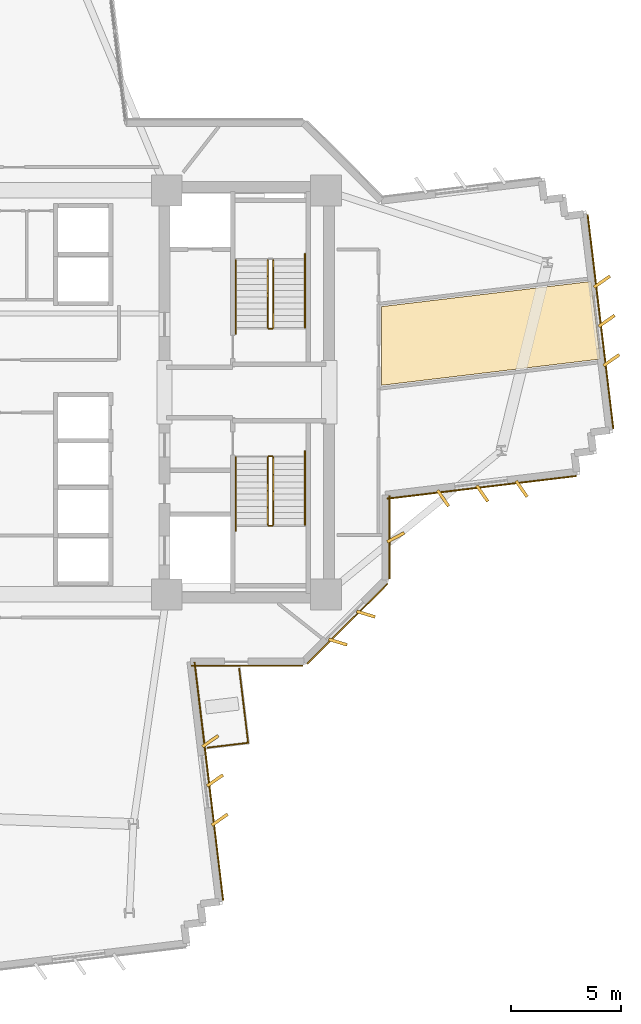
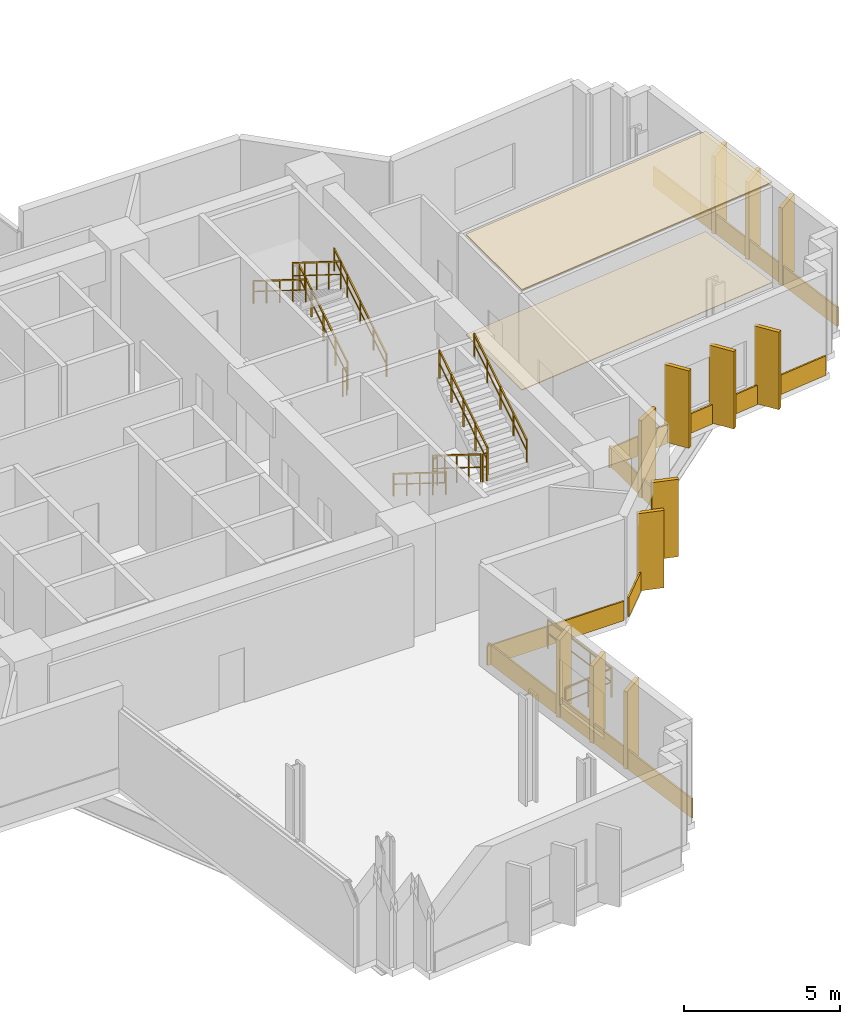
# One storey, part 13 of 15: 20 coverings, 13 railings.
"""IFC4 building model written with IfcOpenShell, lengths in metres."""

from ifc_helpers import new_model, si_unit, direction, frame, origin, origin_2d, place, context, subcontext, project, spatial, polyline, rectangle, outline, extrude, source, transform, mapped, material, layer, layer_set, type_object, element, save


model = new_model("IFC4")

# Units and contexts
model_context = context("Model", 3, precision=1e-05, world=origin(), true_north=direction((0.0, 1.0)))
body_context = subcontext(model_context, "Body", "Model", "MODEL_VIEW")
ifc_project = project(units=[si_unit("LENGTHUNIT", "METRE"), si_unit("AREAUNIT", "SQUARE_METRE"), si_unit("VOLUMEUNIT", "CUBIC_METRE"), si_unit("PLANEANGLEUNIT", "RADIAN"), si_unit("MASSUNIT", "GRAM", prefix="KILO")], contexts=[model_context])

# Site, building, storey
site_placement = place(None, origin())
site = spatial("IfcSite", under=ifc_project, at=site_placement, CompositionType="ELEMENT")
building_placement = place(site_placement, origin())
building = spatial("IfcBuilding", under=site, at=building_placement, Name="Zahravan Cultural Tower", CompositionType="ELEMENT")
storey_placement = place(building_placement, frame((0.0, 0.0, 108.89990234375)))
storey = spatial("IfcBuildingStorey", under=building, at=storey_placement, Name="L24", CompositionType="ELEMENT", Elevation=108.89990234375)

# Coverings
ifc_material_1 = material(Name="Acoustic mineral fibreboard")
ifc_layer_1 = layer(ifc_material_1, 0.0400390625)
ifc_layer_set_1 = layer_set([ifc_layer_1], Name="Acoustic mineral fibreboard")
covering_type_1 = type_object("IfcCoveringType", Name="COV-CEIL-AC20", PredefinedType="CEILING", material=ifc_layer_set_1)
covering_1_placement = place(storey_placement, frame((0.0, 0.0, 3.91015625)))
element("IfcCovering", 1, at=covering_1_placement, inside=storey, type_object=covering_type_1, Name="L24 Acoustic Suspended Ceiling", PredefinedType="CEILING", context=body_context, shape_type="SweptSolid", body=[
    extrude(outline(polyline([(62.85009765625, 28.5185546875), (62.42626953125, 32.05322265625), (52.889892578125, 30.909423828125), (52.889892578125, 27.323974609375), (62.85009765625, 28.5185546875)])), origin(), (0.0, 0.0, 1.0), 0.0400390625),
])
ifc_material_2 = material(Name="Terrazzo flooring")
ifc_layer_2 = layer(ifc_material_2, 0.02490234375)
ifc_layer_set_2 = layer_set([ifc_layer_2], Name="Terrazzo flooring")
covering_type_2 = type_object("IfcCoveringType", Name="COV-FLR-TZ25", PredefinedType="FLOORING", material=ifc_layer_set_2)
covering_2_placement = place(storey_placement, origin())
element("IfcCovering", 2, at=covering_2_placement, inside=storey, type_object=covering_type_2, Name="L24 Polished Terrazzo Flooring", PredefinedType="FLOORING", context=body_context, shape_type="SweptSolid", body=[
    extrude(outline(polyline([(62.85009765625, 28.5185546875), (62.42626953125, 32.05322265625), (52.889892578125, 30.909423828125), (52.889892578125, 27.323974609375), (62.85009765625, 28.5185546875)])), origin(), (0.0, 0.0, 1.0), 0.025146484375),
])

# Railings
ifc_material_3 = material(Name="Steel ASTM A572 Grade 50", Category="steel")
railing_type_1 = type_object("IfcRailingType", Name="RL-BAL-1150", PredefinedType="BALUSTRADE", material=ifc_material_3)
railing_1_placement = place(storey_placement, frame((46.807373046875, 11.043701171875, 0.0)))
element("IfcRailing", 3, at=railing_1_placement, inside=storey, type_object=railing_type_1, Name="L24 Edge Balustrade GRD-TR-L24-SE-01", PredefinedType="BALUSTRADE", context=body_context, shape_type="SweptSolid", body=[
    extrude(rectangle(XDim=0.05, YDim=0.05, at=origin_2d()), frame((0.0, 0.0, 1.125), z_axis=(-0.9928749651, -0.119160831138, 0.0), x_axis=(0.119160831138, -0.9928749651, 0.0)), (0.0, 0.0, 1.0), 1.85009765625),
    extrude(rectangle(XDim=0.032, YDim=0.032, at=origin_2d()), frame((0.0, 0.0, 0.597900390625), z_axis=(-0.9928749651, -0.119160831138, 0.0), x_axis=(0.119160831138, -0.9928749651, 0.0)), (0.0, 0.0, 1.0), 1.85009765625),
    extrude(rectangle(XDim=0.04, YDim=0.04, at=origin_2d()), origin(), (0.0, 0.0, 1.0), 1.14990234375),
    extrude(rectangle(XDim=0.04, YDim=0.04, at=origin_2d()), frame((-0.91845703125, -0.1103515625, 0.0)), (0.0, 0.0, 1.0), 1.14990234375),
    extrude(rectangle(XDim=0.04, YDim=0.04, at=origin_2d()), frame((-1.8369140625, -0.220458984375, 0.0)), (0.0, 0.0, 1.0), 1.14990234375),
])
railing_2_placement = place(storey_placement, frame((46.40234375, 14.419921875, 0.0)))
element("IfcRailing", 4, at=railing_2_placement, inside=storey, type_object=railing_type_1, Name="L24 Edge Balustrade GRD-TR-L24-SE-02", PredefinedType="BALUSTRADE", context=body_context, shape_type="SweptSolid", body=[
    extrude(rectangle(XDim=0.05, YDim=0.05, at=origin_2d()), frame((0.0, 0.0, 1.125), z_axis=(0.119111247198, -0.992880914708, 0.0), x_axis=(0.992880914708, 0.119111247198, 0.0)), (0.0, 0.0, 1.0), 3.400390625),
    extrude(rectangle(XDim=0.032, YDim=0.032, at=origin_2d()), frame((0.0, 0.0, 0.597900390625), z_axis=(0.119111247198, -0.992880914708, 0.0), x_axis=(0.992880914708, 0.119111247198, 0.0)), (0.0, 0.0, 1.0), 3.400390625),
    extrude(rectangle(XDim=0.04, YDim=0.04, at=origin_2d()), origin(), (0.0, 0.0, 1.0), 1.14990234375),
    extrude(rectangle(XDim=0.04, YDim=0.04, at=origin_2d()), frame((0.135009765625, -1.12548828125, 0.0)), (0.0, 0.0, 1.0), 1.14990234375),
    extrude(rectangle(XDim=0.04, YDim=0.04, at=origin_2d()), frame((0.27001953125, -2.250732421875, 0.0)), (0.0, 0.0, 1.0), 1.14990234375),
    extrude(rectangle(XDim=0.04, YDim=0.04, at=origin_2d()), frame((0.405029296875, -3.376220703125, 0.0)), (0.0, 0.0, 1.0), 1.14990234375),
])
railing_type_2 = type_object("IfcRailingType", Name="RL-STAIR-GRD1150", PredefinedType="BALUSTRADE", material=ifc_material_3)
railing_3_placement = place(storey_placement, frame((47.949951171875, 29.949951171875, 0.175048828125)))
element("IfcRailing", 5, at=railing_3_placement, inside=storey, type_object=railing_type_2, Name="L24 ST-E1 stair guard 1", PredefinedType="BALUSTRADE", context=body_context, shape_type="SweptSolid", body=[
    extrude(rectangle(XDim=0.05, YDim=0.05, at=origin_2d()), frame((0.0, 0.0, 1.0751953125), z_axis=(0.0, 0.847998304005, 0.529998940003), x_axis=(-1.0, 0.0, 0.0)), (0.0, 0.0, 1.0), 3.632080078125),
    extrude(rectangle(XDim=0.032, YDim=0.032, at=origin_2d()), frame((0.0, 0.0, 0.572021484375), z_axis=(0.0, 0.847998304005, 0.529998940003), x_axis=(-1.0, 0.0, 0.0)), (0.0, 0.0, 1.0), 3.632080078125),
    extrude(rectangle(XDim=0.04, YDim=0.04, at=origin_2d()), origin(), (0.0, 0.0, 1.0), 1.10009765625),
    extrude(rectangle(XDim=0.04, YDim=0.04, at=origin_2d()), frame((0.0, 0.77001953125, 0.481201171875)), (0.0, 0.0, 1.0), 1.10009765625),
    extrude(rectangle(XDim=0.04, YDim=0.04, at=origin_2d()), frame((0.0, 1.5400390625, 0.96240234375)), (0.0, 0.0, 1.0), 1.10009765625),
    extrude(rectangle(XDim=0.04, YDim=0.04, at=origin_2d()), frame((0.0, 2.31005859375, 1.44384765625)), (0.0, 0.0, 1.0), 1.10009765625),
    extrude(rectangle(XDim=0.04, YDim=0.04, at=origin_2d()), frame((0.0, 3.080078125, 1.925048828125)), (0.0, 0.0, 1.0), 1.10009765625),
])
railing_4_placement = place(storey_placement, frame((47.699951171875, 33.030029296875, 2.275146484375)))
element("IfcRailing", 6, at=railing_4_placement, inside=storey, type_object=railing_type_2, Name="L24 ST-E1 stair guard 3", PredefinedType="BALUSTRADE", context=body_context, shape_type="SweptSolid", body=[
    extrude(rectangle(XDim=0.05, YDim=0.05, at=origin_2d()), frame((0.0, 0.0, 1.0751953125), z_axis=(0.0, -0.847998304005, 0.529998940003), x_axis=(1.0, 0.0, 0.0)), (0.0, 0.0, 1.0), 3.632080078125),
    extrude(rectangle(XDim=0.032, YDim=0.032, at=origin_2d()), frame((0.0, 0.0, 0.572021484375), z_axis=(0.0, -0.847998304005, 0.529998940003), x_axis=(1.0, 0.0, 0.0)), (0.0, 0.0, 1.0), 3.632080078125),
    extrude(rectangle(XDim=0.04, YDim=0.04, at=origin_2d()), origin(), (0.0, 0.0, 1.0), 1.10009765625),
    extrude(rectangle(XDim=0.04, YDim=0.04, at=origin_2d()), frame((0.0, -0.77001953125, 0.481201171875)), (0.0, 0.0, 1.0), 1.10009765625),
    extrude(rectangle(XDim=0.04, YDim=0.04, at=origin_2d()), frame((0.0, -1.5400390625, 0.96240234375)), (0.0, 0.0, 1.0), 1.10009765625),
    extrude(rectangle(XDim=0.04, YDim=0.04, at=origin_2d()), frame((0.0, -2.31005859375, 1.44384765625)), (0.0, 0.0, 1.0), 1.10009765625),
    extrude(rectangle(XDim=0.04, YDim=0.04, at=origin_2d()), frame((0.0, -3.080078125, 1.925048828125)), (0.0, 0.0, 1.0), 1.10009765625),
])
railing_5_placement = place(storey_placement, frame((47.89990234375, 29.89990234375, 0.0)))
element("IfcRailing", 7, at=railing_5_placement, inside=storey, type_object=railing_type_2, Name="L24 ST-E1 stair guard 4", PredefinedType="BALUSTRADE", context=body_context, shape_type="SweptSolid", body=[
    extrude(rectangle(XDim=0.05, YDim=0.05, at=origin_2d()), frame((0.0, 0.0, 1.0751953125), z_axis=(-1.0, 0.0, 0.0), x_axis=(0.0, -1.0, 0.0)), (0.0, 0.0, 1.0), 0.14990234375),
    extrude(rectangle(XDim=0.032, YDim=0.032, at=origin_2d()), frame((0.0, 0.0, 0.572021484375), z_axis=(-1.0, 0.0, 0.0), x_axis=(0.0, -1.0, 0.0)), (0.0, 0.0, 1.0), 0.14990234375),
    extrude(rectangle(XDim=0.04, YDim=0.04, at=origin_2d()), origin(), (0.0, 0.0, 1.0), 1.10009765625),
    extrude(rectangle(XDim=0.04, YDim=0.04, at=origin_2d()), frame((-0.14990234375, 0.0, 0.0)), (0.0, 0.0, 1.0), 1.10009765625),
])
railing_6_placement = place(storey_placement, frame((47.699951171875, 24.050048828125, 0.175048828125)))
element("IfcRailing", 8, at=railing_6_placement, inside=storey, type_object=railing_type_2, Name="L24 ST-E2 stair guard 1", PredefinedType="BALUSTRADE", context=body_context, shape_type="SweptSolid", body=[
    extrude(rectangle(XDim=0.05, YDim=0.05, at=origin_2d()), frame((0.0, 0.0, 1.0751953125), z_axis=(0.0, -0.847998304005, 0.529998940003), x_axis=(1.0, 0.0, 0.0)), (0.0, 0.0, 1.0), 3.632080078125),
    extrude(rectangle(XDim=0.032, YDim=0.032, at=origin_2d()), frame((0.0, 0.0, 0.572021484375), z_axis=(0.0, -0.847998304005, 0.529998940003), x_axis=(1.0, 0.0, 0.0)), (0.0, 0.0, 1.0), 3.632080078125),
    extrude(rectangle(XDim=0.04, YDim=0.04, at=origin_2d()), origin(), (0.0, 0.0, 1.0), 1.10009765625),
    extrude(rectangle(XDim=0.04, YDim=0.04, at=origin_2d()), frame((0.0, -0.77001953125, 0.481201171875)), (0.0, 0.0, 1.0), 1.10009765625),
    extrude(rectangle(XDim=0.04, YDim=0.04, at=origin_2d()), frame((0.0, -1.5400390625, 0.96240234375)), (0.0, 0.0, 1.0), 1.10009765625),
    extrude(rectangle(XDim=0.04, YDim=0.04, at=origin_2d()), frame((0.0, -2.31005859375, 1.44384765625)), (0.0, 0.0, 1.0), 1.10009765625),
    extrude(rectangle(XDim=0.04, YDim=0.04, at=origin_2d()), frame((0.0, -3.080078125, 1.925048828125)), (0.0, 0.0, 1.0), 1.10009765625),
])
railing_7_placement = place(storey_placement, frame((47.75, 20.919921875, 2.10009765625)))
element("IfcRailing", 9, at=railing_7_placement, inside=storey, type_object=railing_type_2, Name="L24 ST-E2 stair guard 2", PredefinedType="BALUSTRADE", context=body_context, shape_type="SweptSolid", body=[
    extrude(rectangle(XDim=0.05, YDim=0.05, at=origin_2d()), frame((0.0, 0.0, 1.0751953125), z_axis=(1.0, 0.0, 0.0), x_axis=(0.0, 1.0, 0.0)), (0.0, 0.0, 1.0), 0.14990234375),
    extrude(rectangle(XDim=0.032, YDim=0.032, at=origin_2d()), frame((0.0, 0.0, 0.572021484375), z_axis=(1.0, 0.0, 0.0), x_axis=(0.0, 1.0, 0.0)), (0.0, 0.0, 1.0), 0.14990234375),
    extrude(rectangle(XDim=0.04, YDim=0.04, at=origin_2d()), origin(), (0.0, 0.0, 1.0), 1.10009765625),
    extrude(rectangle(XDim=0.04, YDim=0.04, at=origin_2d()), frame((0.14990234375, 0.0, 0.0)), (0.0, 0.0, 1.0), 1.10009765625),
])
railing_8_placement = place(storey_placement, frame((47.949951171875, 20.969970703125, 2.275146484375)))
element("IfcRailing", 10, at=railing_8_placement, inside=storey, type_object=railing_type_2, Name="L24 ST-E2 stair guard 3", PredefinedType="BALUSTRADE", context=body_context, shape_type="SweptSolid", body=[
    extrude(rectangle(XDim=0.05, YDim=0.05, at=origin_2d()), frame((0.0, 0.0, 1.0751953125), z_axis=(0.0, 0.847998304005, 0.529998940003), x_axis=(-1.0, 0.0, 0.0)), (0.0, 0.0, 1.0), 3.632080078125),
    extrude(rectangle(XDim=0.032, YDim=0.032, at=origin_2d()), frame((0.0, 0.0, 0.572021484375), z_axis=(0.0, 0.847998304005, 0.529998940003), x_axis=(-1.0, 0.0, 0.0)), (0.0, 0.0, 1.0), 3.632080078125),
    extrude(rectangle(XDim=0.04, YDim=0.04, at=origin_2d()), origin(), (0.0, 0.0, 1.0), 1.10009765625),
    extrude(rectangle(XDim=0.04, YDim=0.04, at=origin_2d()), frame((0.0, 0.77001953125, 0.481201171875)), (0.0, 0.0, 1.0), 1.10009765625),
    extrude(rectangle(XDim=0.04, YDim=0.04, at=origin_2d()), frame((0.0, 1.5400390625, 0.96240234375)), (0.0, 0.0, 1.0), 1.10009765625),
    extrude(rectangle(XDim=0.04, YDim=0.04, at=origin_2d()), frame((0.0, 2.31005859375, 1.44384765625)), (0.0, 0.0, 1.0), 1.10009765625),
    extrude(rectangle(XDim=0.04, YDim=0.04, at=origin_2d()), frame((0.0, 3.080078125, 1.925048828125)), (0.0, 0.0, 1.0), 1.10009765625),
])
railing_9_placement = place(storey_placement, frame((47.75, 24.10009765625, 0.0)))
element("IfcRailing", 11, at=railing_9_placement, inside=storey, type_object=railing_type_2, Name="L24 ST-E2 stair guard 4", PredefinedType="BALUSTRADE", context=body_context, shape_type="SweptSolid", body=[
    extrude(rectangle(XDim=0.05, YDim=0.05, at=origin_2d()), frame((0.0, 0.0, 1.0751953125), z_axis=(1.0, 0.0, 0.0), x_axis=(0.0, 1.0, 0.0)), (0.0, 0.0, 1.0), 0.14990234375),
    extrude(rectangle(XDim=0.032, YDim=0.032, at=origin_2d()), frame((0.0, 0.0, 0.572021484375), z_axis=(1.0, 0.0, 0.0), x_axis=(0.0, 1.0, 0.0)), (0.0, 0.0, 1.0), 0.14990234375),
    extrude(rectangle(XDim=0.04, YDim=0.04, at=origin_2d()), origin(), (0.0, 0.0, 1.0), 1.10009765625),
    extrude(rectangle(XDim=0.04, YDim=0.04, at=origin_2d()), frame((0.14990234375, 0.0, 0.0)), (0.0, 0.0, 1.0), 1.10009765625),
])
railing_type_3 = type_object("IfcRailingType", Name="RL-STAIR-HR900", PredefinedType="HANDRAIL", material=ifc_material_3)
railing_10_placement = place(storey_placement, frame((49.39990234375, 29.949951171875, 0.175048828125)))
element("IfcRailing", 12, at=railing_10_placement, inside=storey, type_object=railing_type_3, Name="L24 ST-E1 stair handrail 1", PredefinedType="HANDRAIL", context=body_context, shape_type="SweptSolid", body=[
    extrude(rectangle(XDim=0.05, YDim=0.05, at=origin_2d()), frame((0.0, 0.0, 0.875), z_axis=(0.0, 0.847994842521, 0.530004478338), x_axis=(-1.0, 0.0, 0.0)), (0.0, 0.0, 1.0), 3.96240234375),
    extrude(rectangle(XDim=0.032, YDim=0.032, at=origin_2d()), frame((0.0, 0.0, 0.468017578125), z_axis=(0.0, 0.847994842521, 0.530004478338), x_axis=(-1.0, 0.0, 0.0)), (0.0, 0.0, 1.0), 3.96240234375),
    extrude(rectangle(XDim=0.04, YDim=0.04, at=origin_2d()), origin(), (0.0, 0.0, 1.0), 0.89990234375),
    extrude(rectangle(XDim=0.04, YDim=0.04, at=origin_2d()), frame((0.0, 0.840087890625, 0.52490234375)), (0.0, 0.0, 1.0), 0.89990234375),
    extrude(rectangle(XDim=0.04, YDim=0.04, at=origin_2d()), frame((0.0, 1.68017578125, 1.050048828125)), (0.0, 0.0, 1.0), 0.89990234375),
    extrude(rectangle(XDim=0.04, YDim=0.04, at=origin_2d()), frame((0.0, 2.52001953125, 1.5751953125)), (0.0, 0.0, 1.0), 0.89990234375),
    extrude(rectangle(XDim=0.04, YDim=0.04, at=origin_2d()), frame((0.0, 3.360107421875, 2.10009765625)), (0.0, 0.0, 1.0), 0.89990234375),
])
railing_11_placement = place(storey_placement, frame((46.25, 33.030029296875, 2.275146484375)))
element("IfcRailing", 13, at=railing_11_placement, inside=storey, type_object=railing_type_3, Name="L24 ST-E1 stair handrail 2", PredefinedType="HANDRAIL", context=body_context, shape_type="SweptSolid", body=[
    extrude(rectangle(XDim=0.05, YDim=0.05, at=origin_2d()), frame((0.0, 0.0, 0.875), z_axis=(0.0, -0.848022534174, 0.529960169762), x_axis=(1.0, 0.0, 0.0)), (0.0, 0.0, 1.0), 3.96240234375),
    extrude(rectangle(XDim=0.032, YDim=0.032, at=origin_2d()), frame((0.0, 0.0, 0.468017578125), z_axis=(0.0, -0.848022534174, 0.529960169762), x_axis=(1.0, 0.0, 0.0)), (0.0, 0.0, 1.0), 3.96240234375),
    extrude(rectangle(XDim=0.04, YDim=0.04, at=origin_2d()), origin(), (0.0, 0.0, 1.0), 0.89990234375),
    extrude(rectangle(XDim=0.04, YDim=0.04, at=origin_2d()), frame((0.0, -0.840087890625, 0.52490234375)), (0.0, 0.0, 1.0), 0.89990234375),
    extrude(rectangle(XDim=0.04, YDim=0.04, at=origin_2d()), frame((0.0, -1.68017578125, 1.0498046875)), (0.0, 0.0, 1.0), 0.89990234375),
    extrude(rectangle(XDim=0.04, YDim=0.04, at=origin_2d()), frame((0.0, -2.52001953125, 1.574951171875)), (0.0, 0.0, 1.0), 0.89990234375),
    extrude(rectangle(XDim=0.04, YDim=0.04, at=origin_2d()), frame((0.0, -3.360107421875, 2.099853515625)), (0.0, 0.0, 1.0), 0.89990234375),
])
railing_12_placement = place(storey_placement, frame((46.25, 24.050048828125, 0.175048828125)))
element("IfcRailing", 14, at=railing_12_placement, inside=storey, type_object=railing_type_3, Name="L24 ST-E2 stair handrail 1", PredefinedType="HANDRAIL", context=body_context, shape_type="SweptSolid", body=[
    extrude(rectangle(XDim=0.05, YDim=0.05, at=origin_2d()), frame((0.0, 0.0, 0.875), z_axis=(0.0, -0.847994842521, 0.530004478338), x_axis=(1.0, 0.0, 0.0)), (0.0, 0.0, 1.0), 3.96240234375),
    extrude(rectangle(XDim=0.032, YDim=0.032, at=origin_2d()), frame((0.0, 0.0, 0.468017578125), z_axis=(0.0, -0.847994842521, 0.530004478338), x_axis=(1.0, 0.0, 0.0)), (0.0, 0.0, 1.0), 3.96240234375),
    extrude(rectangle(XDim=0.04, YDim=0.04, at=origin_2d()), origin(), (0.0, 0.0, 1.0), 0.89990234375),
    extrude(rectangle(XDim=0.04, YDim=0.04, at=origin_2d()), frame((0.0, -0.840087890625, 0.52490234375)), (0.0, 0.0, 1.0), 0.89990234375),
    extrude(rectangle(XDim=0.04, YDim=0.04, at=origin_2d()), frame((0.0, -1.68017578125, 1.050048828125)), (0.0, 0.0, 1.0), 0.89990234375),
    extrude(rectangle(XDim=0.04, YDim=0.04, at=origin_2d()), frame((0.0, -2.52001953125, 1.5751953125)), (0.0, 0.0, 1.0), 0.89990234375),
    extrude(rectangle(XDim=0.04, YDim=0.04, at=origin_2d()), frame((0.0, -3.360107421875, 2.10009765625)), (0.0, 0.0, 1.0), 0.89990234375),
])
railing_13_placement = place(storey_placement, frame((49.39990234375, 20.969970703125, 2.275146484375)))
element("IfcRailing", 15, at=railing_13_placement, inside=storey, type_object=railing_type_3, Name="L24 ST-E2 stair handrail 2", PredefinedType="HANDRAIL", context=body_context, shape_type="SweptSolid", body=[
    extrude(rectangle(XDim=0.05, YDim=0.05, at=origin_2d()), frame((0.0, 0.0, 0.875), z_axis=(0.0, 0.848022534174, 0.529960169762), x_axis=(-1.0, 0.0, 0.0)), (0.0, 0.0, 1.0), 3.96240234375),
    extrude(rectangle(XDim=0.032, YDim=0.032, at=origin_2d()), frame((0.0, 0.0, 0.468017578125), z_axis=(0.0, 0.848022534174, 0.529960169762), x_axis=(-1.0, 0.0, 0.0)), (0.0, 0.0, 1.0), 3.96240234375),
    extrude(rectangle(XDim=0.04, YDim=0.04, at=origin_2d()), origin(), (0.0, 0.0, 1.0), 0.89990234375),
    extrude(rectangle(XDim=0.04, YDim=0.04, at=origin_2d()), frame((0.0, 0.840087890625, 0.52490234375)), (0.0, 0.0, 1.0), 0.89990234375),
    extrude(rectangle(XDim=0.04, YDim=0.04, at=origin_2d()), frame((0.0, 1.68017578125, 1.0498046875)), (0.0, 0.0, 1.0), 0.89990234375),
    extrude(rectangle(XDim=0.04, YDim=0.04, at=origin_2d()), frame((0.0, 2.52001953125, 1.574951171875)), (0.0, 0.0, 1.0), 0.89990234375),
    extrude(rectangle(XDim=0.04, YDim=0.04, at=origin_2d()), frame((0.0, 3.360107421875, 2.099853515625)), (0.0, 0.0, 1.0), 0.89990234375),
])

# Coverings
ifc_material_4 = material(Name="Terracotta ceramic cladding", Category="masonry")
ifc_layer_3 = layer(ifc_material_4, 0.06005859375)
ifc_layer_set_3 = layer_set([ifc_layer_3], Name="Terracotta ceramic cladding")
covering_type_3 = type_object("IfcCoveringType", Name="COV-CLAD-TC60", PredefinedType="CLADDING", material=ifc_layer_set_3)
shared_shape_1 = source(origin(), body_context, "Body", "SweptSolid", [
    extrude(rectangle(XDim=9.820068359375, YDim=0.06005859375, at=origin_2d()), origin(), (0.0, 0.0, 1.0), 0.760009765625),
])
covering_3_placement = place(storey_placement, frame((62.8525390625, 30.220947265625, 0.02001953125), z_axis=(0.0, 0.0, 1.0), x_axis=(0.119097160095, -0.99288260457, 0.0)))
element("IfcCovering", 16, at=covering_3_placement, inside=storey, type_object=covering_type_3, Name="L24 Terracotta Spandrel Cladding 06", PredefinedType="CLADDING", context=body_context, shape_type="MappedRepresentation", body=[
    mapped(shared_shape_1, transform((0.0, 0.0, 0.0), x_axis=(1.0, 0.0, 0.0), y_axis=(0.0, 1.0, 0.0), z_axis=(0.0, 0.0, 1.0), scale=1.0)),
])
shared_shape_2 = source(origin(), body_context, "Body", "SweptSolid", [
    extrude(rectangle(XDim=5.157958984375, YDim=0.06005859375, at=origin_2d()), origin(), (0.0, 0.0, 1.0), 0.760009765625),
])
covering_4_placement = place(storey_placement, frame((51.331787109375, 16.46826171875, 0.02001953125), z_axis=(0.0, 0.0, 1.0), x_axis=(-0.707106781187, -0.707106781187, 0.0)))
element("IfcCovering", 17, at=covering_4_placement, inside=storey, type_object=covering_type_3, Name="L24 Terracotta Spandrel Cladding 13", PredefinedType="CLADDING", context=body_context, shape_type="MappedRepresentation", body=[
    mapped(shared_shape_2, transform((0.0, 0.0, 0.0), x_axis=(1.0, 0.0, 0.0), y_axis=(0.0, 1.0, 0.0), z_axis=(0.0, 0.0, 1.0), scale=1.0)),
])
shared_shape_3 = source(origin(), body_context, "Body", "SweptSolid", [
    extrude(rectangle(XDim=0.8798828125, YDim=0.139892578125, at=origin_2d()), origin(), (0.0, 0.0, 1.0), 3.030029296875),
])
for number, where, z_axis, x_axis, name in (
    (18, (62.921142578125, 32.0419921875, 0.05029296875), (0.0, 0.0, 1.0), (0.820750575823, 0.571286698852, 0.0), "L24 Herringbone Terracotta Fin 04"),
    (19, (63.135498046875, 30.2548828125, 0.05029296875), (0.0, 0.0, 1.0), (0.820750575823, 0.571286698852, 0.0), "L24 Herringbone Terracotta Fin 05"),
    (20, (63.349853515625, 28.4677734375, 0.05029296875), (0.0, 0.0, 1.0), (0.820750575823, 0.571286698852, 0.0), "L24 Herringbone Terracotta Fin 06"),
    (21, (59.26025390625, 22.60888671875, 0.05029296875), (0.0, 0.0, 1.0), (0.571286698852, -0.820750575823, 0.0), "L24 Herringbone Terracotta Fin 07"),
    (22, (57.472900390625, 22.39453125, 0.05029296875), (0.0, 0.0, 1.0), (0.571286698852, -0.820750575823, 0.0), "L24 Herringbone Terracotta Fin 08"),
    (23, (55.685791015625, 22.18017578125, 0.05029296875), (0.0, 0.0, 1.0), (0.571286698852, -0.820750575823, 0.0), "L24 Herringbone Terracotta Fin 09"),
    (24, (53.530029296875, 20.398193359375, 0.05029296875), (0.0, 0.0, 1.0), (0.882947592859, 0.469471562786, 0.0), "L24 Herringbone Terracotta Fin 10"),
    (25, (52.169677734375, 16.903076171875, 0.05029296875), (0.0, 0.0, 1.0), (0.956304755963, -0.292371704723, 0.0), "L24 Herringbone Terracotta Fin 11"),
    (26, (50.89697265625, 15.63037109375, 0.05029296875), (0.0, 0.0, 1.0), (0.956304755963, -0.292371704723, 0.0), "L24 Herringbone Terracotta Fin 12"),
    (27, (45.08642578125, 11.11572265625, 0.05029296875), (0.0, 0.0, 1.0), (0.820750575823, 0.571286698852, 0.0), "L24 Herringbone Terracotta Fin 13"),
    (28, (45.30078125, 9.32861328125, 0.05029296875), (0.0, 0.0, 1.0), (0.820750575823, 0.571286698852, 0.0), "L24 Herringbone Terracotta Fin 14"),
    (29, (45.51513671875, 7.541259765625, 0.05029296875), (0.0, 0.0, 1.0), (0.820750575823, 0.571286698852, 0.0), "L24 Herringbone Terracotta Fin 15"),
):
    element("IfcCovering", number, at=place(storey_placement, frame(where, z_axis=z_axis, x_axis=x_axis)), inside=storey, type_object=covering_type_3, Name=name, PredefinedType="CLADDING", context=body_context, shape_type="MappedRepresentation", body=[
        mapped(shared_shape_3, transform((0.0, 0.0, 0.0), x_axis=(1.0, 0.0, 0.0), y_axis=(0.0, 1.0, 0.0), z_axis=(0.0, 0.0, 1.0), scale=1.0)),
    ])
shared_shape_4 = source(origin(), body_context, "Body", "SweptSolid", [
    extrude(rectangle(XDim=8.676513671875, YDim=0.06005859375, at=origin_2d()), origin(), (0.0, 0.0, 1.0), 0.760009765625),
])
covering_5_placement = place(storey_placement, frame((57.439208984375, 22.677490234375, 0.02001953125), z_axis=(0.0, 0.0, 1.0), x_axis=(-0.99288260457, -0.119097160095, 0.0)))
element("IfcCovering", 30, at=covering_5_placement, inside=storey, type_object=covering_type_3, Name="L24 Terracotta Spandrel Cladding 11", PredefinedType="CLADDING", context=body_context, shape_type="MappedRepresentation", body=[
    mapped(shared_shape_4, transform((0.0, 0.0, 0.0), x_axis=(1.0, 0.0, 0.0), y_axis=(0.0, 1.0, 0.0), z_axis=(0.0, 0.0, 1.0), scale=1.0)),
])
shared_shape_5 = source(origin(), body_context, "Body", "SweptSolid", [
    extrude(rectangle(XDim=3.780517578125, YDim=0.06005859375, at=origin_2d()), origin(), (0.0, 0.0, 1.0), 0.760009765625),
])
covering_6_placement = place(storey_placement, frame((53.2451171875, 20.398193359375, 0.02001953125), z_axis=(0.0, 0.0, 1.0), x_axis=(0.0, -1.0, 0.0)))
element("IfcCovering", 31, at=covering_6_placement, inside=storey, type_object=covering_type_3, Name="L24 Terracotta Spandrel Cladding 12", PredefinedType="CLADDING", context=body_context, shape_type="MappedRepresentation", body=[
    mapped(shared_shape_5, transform((0.0, 0.0, 0.0), x_axis=(1.0, 0.0, 0.0), y_axis=(0.0, 1.0, 0.0), z_axis=(0.0, 0.0, 1.0), scale=1.0)),
])
shared_shape_6 = source(origin(), body_context, "Body", "SweptSolid", [
    extrude(rectangle(XDim=5.063720703125, YDim=0.06005859375, at=origin_2d()), origin(), (0.0, 0.0, 1.0), 0.760009765625),
])
covering_7_placement = place(storey_placement, frame((46.76025390625, 14.554931640625, 0.02001953125), z_axis=(0.0, 0.0, 1.0), x_axis=(-1.0, 0.0, 0.0)))
element("IfcCovering", 32, at=covering_7_placement, inside=storey, type_object=covering_type_3, Name="L24 Terracotta Spandrel Cladding 14", PredefinedType="CLADDING", context=body_context, shape_type="MappedRepresentation", body=[
    mapped(shared_shape_6, transform((0.0, 0.0, 0.0), x_axis=(1.0, 0.0, 0.0), y_axis=(0.0, 1.0, 0.0), z_axis=(0.0, 0.0, 1.0), scale=1.0)),
])
shared_shape_7 = source(origin(), body_context, "Body", "SweptSolid", [
    extrude(rectangle(XDim=10.913330078125, YDim=0.06005859375, at=origin_2d()), origin(), (0.0, 0.0, 1.0), 0.760009765625),
])
covering_8_placement = place(storey_placement, frame((45.017822265625, 9.294677734375, 0.02001953125), z_axis=(0.0, 0.0, 1.0), x_axis=(0.119097160095, -0.99288260457, 0.0)))
element("IfcCovering", 33, at=covering_8_placement, inside=storey, type_object=covering_type_3, Name="L24 Terracotta Spandrel Cladding 15", PredefinedType="CLADDING", context=body_context, shape_type="MappedRepresentation", body=[
    mapped(shared_shape_7, transform((0.0, 0.0, 0.0), x_axis=(1.0, 0.0, 0.0), y_axis=(0.0, 1.0, 0.0), z_axis=(0.0, 0.0, 1.0), scale=1.0)),
])

save(model, "model.ifc")
